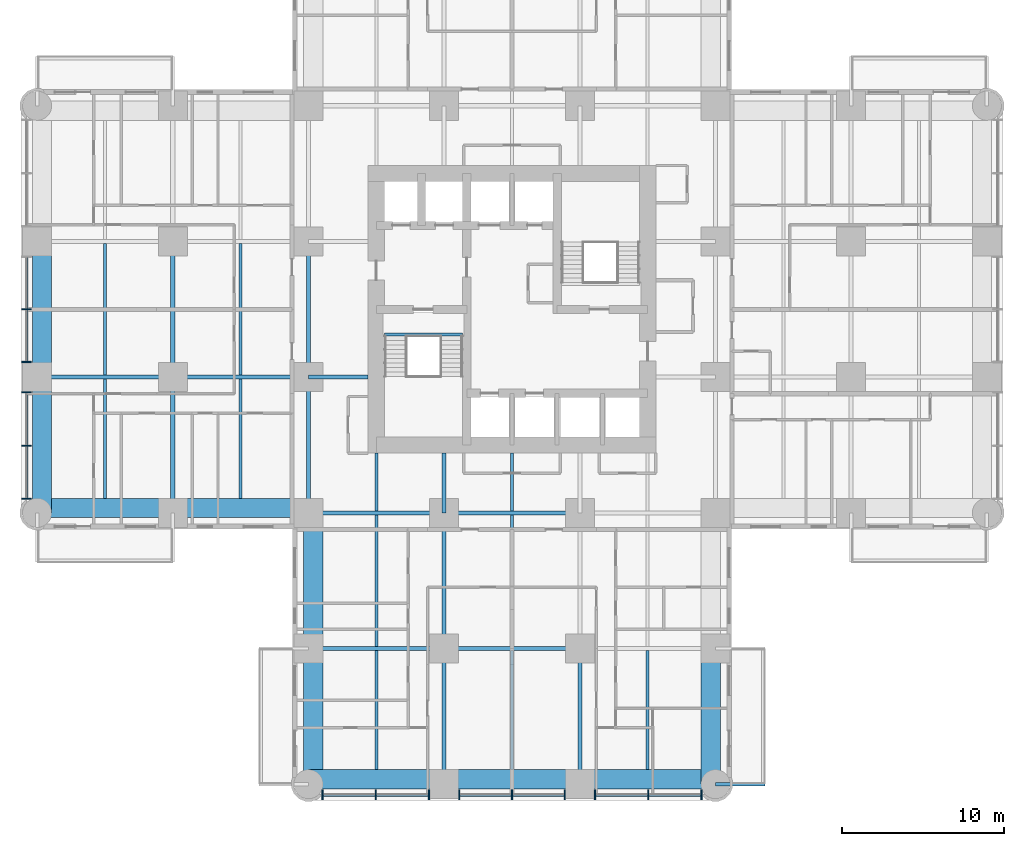
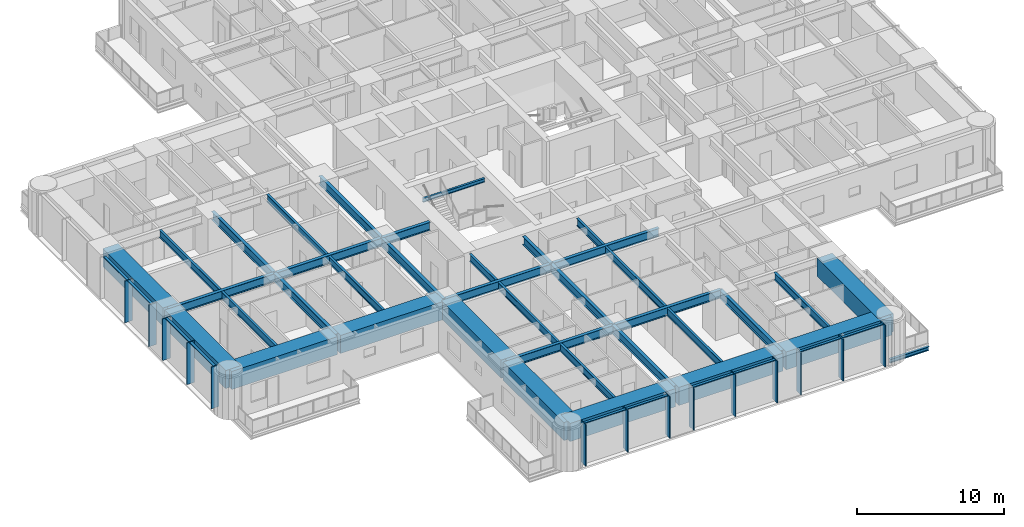
# One storey, part 2 of 17: 38 beams, 24 members, 2 elements without a shape of their own.
"""IFC4 building model written with IfcOpenShell, lengths in metres."""

from ifc_helpers import new_model, si_unit, direction, frame, origin, origin_2d, place, context, subcontext, project, spatial, rectangle, i_section, extrude, material, material_profile, profile_set, type_object, element, aggregate, save


model = new_model("IFC4")

# Units and contexts
model_context = context("Model", 3, precision=1e-05, world=origin(), true_north=direction((0.0, 1.0)))
body_context = subcontext(model_context, "Body", "Model", "MODEL_VIEW")
ifc_project = project(units=[si_unit("LENGTHUNIT", "METRE"), si_unit("AREAUNIT", "SQUARE_METRE"), si_unit("VOLUMEUNIT", "CUBIC_METRE"), si_unit("PLANEANGLEUNIT", "RADIAN"), si_unit("MASSUNIT", "GRAM", prefix="KILO")], contexts=[model_context])

# Site, building, storey
site_placement = place(None, origin())
site = spatial("IfcSite", under=ifc_project, at=site_placement, CompositionType="ELEMENT")
building_placement = place(site_placement, origin())
building = spatial("IfcBuilding", under=site, at=building_placement, Name="Torre Alcanfor", CompositionType="ELEMENT")
storey_placement = place(building_placement, frame((0.0, 0.0, 52.5)))
storey = spatial("IfcBuildingStorey", under=building, at=storey_placement, Name="L12", CompositionType="ELEMENT", Elevation=52.5)

# Beam
ifc_material_1 = material(Name="Steel ASTM A992 Grade 50", Category="steel")
ifc_material_profile_1 = material_profile(ifc_material_1, i_section(OverallWidth=0.205322265625, OverallDepth=0.309814453125, WebThickness=0.00927734375, FlangeThickness=0.016357421875, at=origin_2d()), Name="W12x50")
ifc_profile_set_1 = profile_set([ifc_material_profile_1], Name="Steel ASTM A992 Grade 50")
beam_type_1 = type_object("IfcBeamType", Name="Balcony cantilever beam W12x50", PredefinedType="BEAM", material=ifc_profile_set_1)
beam_1_placement = place(storey_placement, frame((42.0, 0.0, -0.35498046875), z_axis=(1.0, 0.0, 0.0), x_axis=(0.0, 1.0, 0.0)))
element("IfcBeam", 1, at=beam_1_placement, inside=storey, type_object=beam_type_1, Name="Balcony cantilever beam L12-S1 2", PredefinedType="BEAM", context=body_context, shape_type="SweptSolid", body=[
    extrude(i_section(OverallWidth=0.205322265625, OverallDepth=0.309814453125, WebThickness=0.00927734375, FlangeThickness=0.016357421875, at=origin_2d()), origin(), (0.0, 0.0, 1.0), 3.050048828125),
])

# Curtain wall, members
ifc_material_2 = material(Name="Aluminium and glass", Category="aluminium")
curtain_wall_type = type_object("IfcCurtainWallType", Name="CW-A unitised apartment glazing with vertical FIN", PredefinedType="NOTDEFINED", material=ifc_material_2)
curtain_wall_1_placement = place(storey_placement, origin())
curtain_wall_1 = element("IfcCurtainWall", 2, at=curtain_wall_1_placement, inside=storey, type_object=curtain_wall_type, Name="Curtain wall CW-A L12 2", PredefinedType="NOTDEFINED")
ifc_material_3 = material(Name="Bronze anodised aluminium", Category="aluminium")
ifc_material_profile_2 = material_profile(ifc_material_3, rectangle(XDim=0.60009765625, YDim=0.06494140625, at=origin_2d()), Name="CW-A mullion 65x600")
ifc_profile_set_2 = profile_set([ifc_material_profile_2], Name="Bronze anodised aluminium")
member_type_1 = type_object("IfcMemberType", Name="CW-A mullion with vertical FIN 65x600", PredefinedType="MULLION", material=ifc_profile_set_2)
member_1_placement = place(storey_placement, frame((-0.64990234375, 29.39990234375, 0.0), z_axis=(0.0, 0.0, 1.0), x_axis=(1.0, 0.0, 0.0)))
member_1 = element("IfcMember", 3, at=member_1_placement, type_object=member_type_1, Name="CW-A mullion 2.2", PredefinedType="MULLION", context=body_context, shape_type="SweptSolid", body=[
    extrude(rectangle(XDim=0.60009765625, YDim=0.06494140625, at=origin_2d()), origin(), (0.0, 0.0, 1.0), 3.449951171875),
])
member_2_placement = place(storey_placement, frame((-0.64990234375, 26.137451171875, 0.0), z_axis=(0.0, 0.0, 1.0), x_axis=(1.0, 0.0, 0.0)))
member_2 = element("IfcMember", 4, at=member_2_placement, type_object=member_type_1, Name="CW-A mullion 2.3", PredefinedType="MULLION", context=body_context, shape_type="SweptSolid", body=[
    extrude(rectangle(XDim=0.60009765625, YDim=0.06494140625, at=origin_2d()), origin(), (0.0, 0.0, 1.0), 3.449951171875),
])
member_3_placement = place(storey_placement, frame((-0.64990234375, 24.262451171875, 0.0), z_axis=(0.0, 0.0, 1.0), x_axis=(1.0, 0.0, 0.0)))
member_3 = element("IfcMember", 5, at=member_3_placement, type_object=member_type_1, Name="CW-A mullion 3.1", PredefinedType="MULLION", context=body_context, shape_type="SweptSolid", body=[
    extrude(rectangle(XDim=0.60009765625, YDim=0.06494140625, at=origin_2d()), origin(), (0.0, 0.0, 1.0), 3.449951171875),
])
member_4_placement = place(storey_placement, frame((-0.64990234375, 20.96484375, 0.0), z_axis=(0.0, 0.0, 1.0), x_axis=(1.0, 0.0, 0.0)))
member_4 = element("IfcMember", 6, at=member_4_placement, type_object=member_type_1, Name="CW-A mullion 3.2", PredefinedType="MULLION", context=body_context, shape_type="SweptSolid", body=[
    extrude(rectangle(XDim=0.60009765625, YDim=0.06494140625, at=origin_2d()), origin(), (0.0, 0.0, 1.0), 3.449951171875),
])
member_5_placement = place(storey_placement, frame((-0.64990234375, 17.6669921875, 0.0), z_axis=(0.0, 0.0, 1.0), x_axis=(1.0, 0.0, 0.0)))
member_5 = element("IfcMember", 7, at=member_5_placement, type_object=member_type_1, Name="CW-A mullion 3.3", PredefinedType="MULLION", context=body_context, shape_type="SweptSolid", body=[
    extrude(rectangle(XDim=0.60009765625, YDim=0.06494140625, at=origin_2d()), origin(), (0.0, 0.0, 1.0), 3.449951171875),
])

curtain_wall_2_placement = place(storey_placement, origin())
curtain_wall_2 = element("IfcCurtainWall", 8, at=curtain_wall_2_placement, inside=storey, type_object=curtain_wall_type, Name="Curtain wall CW-A L12 5", PredefinedType="NOTDEFINED")
member_6_placement = place(storey_placement, frame((17.6669921875, -0.64990234375, 0.0), z_axis=(0.0, 0.0, 1.0), x_axis=(0.0, 1.0, 0.0)))
member_6 = element("IfcMember", 9, at=member_6_placement, type_object=member_type_1, Name="CW-A mullion 1.1", PredefinedType="MULLION", context=body_context, shape_type="SweptSolid", body=[
    extrude(rectangle(XDim=0.60009765625, YDim=0.06494140625, at=origin_2d()), origin(), (0.0, 0.0, 1.0), 3.449951171875),
])
member_7_placement = place(storey_placement, frame((20.96484375, -0.64990234375, 0.0), z_axis=(0.0, 0.0, 1.0), x_axis=(0.0, 1.0, 0.0)))
member_7 = element("IfcMember", 10, at=member_7_placement, type_object=member_type_1, Name="CW-A mullion 1.2", PredefinedType="MULLION", context=body_context, shape_type="SweptSolid", body=[
    extrude(rectangle(XDim=0.60009765625, YDim=0.06494140625, at=origin_2d()), origin(), (0.0, 0.0, 1.0), 3.449951171875),
])
member_8_placement = place(storey_placement, frame((24.262451171875, -0.64990234375, 0.0), z_axis=(0.0, 0.0, 1.0), x_axis=(0.0, 1.0, 0.0)))
member_8 = element("IfcMember", 11, at=member_8_placement, type_object=member_type_1, Name="CW-A mullion 1.3", PredefinedType="MULLION", context=body_context, shape_type="SweptSolid", body=[
    extrude(rectangle(XDim=0.60009765625, YDim=0.06494140625, at=origin_2d()), origin(), (0.0, 0.0, 1.0), 3.449951171875),
])
member_9_placement = place(storey_placement, frame((26.137451171875, -0.64990234375, 0.0), z_axis=(0.0, 0.0, 1.0), x_axis=(0.0, 1.0, 0.0)))
member_9 = element("IfcMember", 12, at=member_9_placement, type_object=member_type_1, Name="CW-A mullion 2.1", PredefinedType="MULLION", context=body_context, shape_type="SweptSolid", body=[
    extrude(rectangle(XDim=0.60009765625, YDim=0.06494140625, at=origin_2d()), origin(), (0.0, 0.0, 1.0), 3.449951171875),
])
member_10_placement = place(storey_placement, frame((29.39990234375, -0.64990234375, 0.0), z_axis=(0.0, 0.0, 1.0), x_axis=(0.0, 1.0, 0.0)))
member_10 = element("IfcMember", 13, at=member_10_placement, type_object=member_type_1, Name="CW-A mullion 2.2", PredefinedType="MULLION", context=body_context, shape_type="SweptSolid", body=[
    extrude(rectangle(XDim=0.60009765625, YDim=0.06494140625, at=origin_2d()), origin(), (0.0, 0.0, 1.0), 3.449951171875),
])
member_11_placement = place(storey_placement, frame((32.66259765625, -0.64990234375, 0.0), z_axis=(0.0, 0.0, 1.0), x_axis=(0.0, 1.0, 0.0)))
member_11 = element("IfcMember", 14, at=member_11_placement, type_object=member_type_1, Name="CW-A mullion 2.3", PredefinedType="MULLION", context=body_context, shape_type="SweptSolid", body=[
    extrude(rectangle(XDim=0.60009765625, YDim=0.06494140625, at=origin_2d()), origin(), (0.0, 0.0, 1.0), 3.449951171875),
])
member_12_placement = place(storey_placement, frame((34.53759765625, -0.64990234375, 0.0), z_axis=(0.0, 0.0, 1.0), x_axis=(0.0, 1.0, 0.0)))
member_12 = element("IfcMember", 15, at=member_12_placement, type_object=member_type_1, Name="CW-A mullion 3.1", PredefinedType="MULLION", context=body_context, shape_type="SweptSolid", body=[
    extrude(rectangle(XDim=0.60009765625, YDim=0.06494140625, at=origin_2d()), origin(), (0.0, 0.0, 1.0), 3.449951171875),
])
member_13_placement = place(storey_placement, frame((37.835205078125, -0.64990234375, 0.0), z_axis=(0.0, 0.0, 1.0), x_axis=(0.0, 1.0, 0.0)))
member_13 = element("IfcMember", 16, at=member_13_placement, type_object=member_type_1, Name="CW-A mullion 3.2", PredefinedType="MULLION", context=body_context, shape_type="SweptSolid", body=[
    extrude(rectangle(XDim=0.60009765625, YDim=0.06494140625, at=origin_2d()), origin(), (0.0, 0.0, 1.0), 3.449951171875),
])
member_14_placement = place(storey_placement, frame((41.133056640625, -0.64990234375, 0.0), z_axis=(0.0, 0.0, 1.0), x_axis=(0.0, 1.0, 0.0)))
member_14 = element("IfcMember", 17, at=member_14_placement, type_object=member_type_1, Name="CW-A mullion 3.3", PredefinedType="MULLION", context=body_context, shape_type="SweptSolid", body=[
    extrude(rectangle(XDim=0.60009765625, YDim=0.06494140625, at=origin_2d()), origin(), (0.0, 0.0, 1.0), 3.449951171875),
])

# Member
ifc_material_4 = material(Name="Extruded aluminium", Category="aluminium")
ifc_material_profile_3 = material_profile(ifc_material_4, rectangle(XDim=0.199951171875, YDim=0.06494140625, at=origin_2d()), Name="CW-A transom 200x65")
ifc_profile_set_3 = profile_set([ifc_material_profile_3], Name="Extruded aluminium")
member_type_2 = type_object("IfcMemberType", Name="CW-A transom 65x200", PredefinedType="USERDEFINED", material=ifc_profile_set_3)
member_15_placement = place(storey_placement, frame((-0.64990234375, 32.6298828125, 3.41748046875), z_axis=(0.0, -1.0, 0.0), x_axis=(1.0, 0.0, 0.0)))
member_15 = element("IfcMember", 18, at=member_15_placement, type_object=member_type_2, Name="CW-A transom 2.1.2", ObjectType="TRANSOM", PredefinedType="USERDEFINED", context=body_context, shape_type="SweptSolid", body=[
    extrude(rectangle(XDim=0.199951171875, YDim=0.06494140625, at=origin_2d()), origin(), (0.0, 0.0, 1.0), 3.197265625),
])

member_16_placement = place(storey_placement, frame((-0.64990234375, 29.367431640625, 3.41748046875), z_axis=(0.0, -1.0, 0.0), x_axis=(1.0, 0.0, 0.0)))
member_16 = element("IfcMember", 19, at=member_16_placement, type_object=member_type_2, Name="CW-A transom 2.2.2", ObjectType="TRANSOM", PredefinedType="USERDEFINED", context=body_context, shape_type="SweptSolid", body=[
    extrude(rectangle(XDim=0.199951171875, YDim=0.06494140625, at=origin_2d()), origin(), (0.0, 0.0, 1.0), 3.197509765625),
])

member_17_placement = place(storey_placement, frame((-0.64990234375, 24.22998046875, 3.41748046875), z_axis=(0.0, -1.0, 0.0), x_axis=(1.0, 0.0, 0.0)))
member_17 = element("IfcMember", 20, at=member_17_placement, type_object=member_type_2, Name="CW-A transom 3.1.2", ObjectType="TRANSOM", PredefinedType="USERDEFINED", context=body_context, shape_type="SweptSolid", body=[
    extrude(rectangle(XDim=0.199951171875, YDim=0.06494140625, at=origin_2d()), origin(), (0.0, 0.0, 1.0), 3.232666015625),
])

member_18_placement = place(storey_placement, frame((-0.64990234375, 20.93212890625, 3.41748046875), z_axis=(0.0, -1.0, 0.0), x_axis=(1.0, 0.0, 0.0)))
member_18 = element("IfcMember", 21, at=member_18_placement, type_object=member_type_2, Name="CW-A transom 3.2.2", ObjectType="TRANSOM", PredefinedType="USERDEFINED", context=body_context, shape_type="SweptSolid", body=[
    extrude(rectangle(XDim=0.199951171875, YDim=0.06494140625, at=origin_2d()), origin(), (0.0, 0.0, 1.0), 3.232666015625),
])

aggregate(curtain_wall_1, [member_1, member_2, member_15, member_16, member_3, member_4, member_5, member_17, member_18])

member_19_placement = place(storey_placement, frame((17.699462890625, -0.64990234375, 3.41748046875), z_axis=(1.0, 0.0, 0.0), x_axis=(0.0, 1.0, 0.0)))
member_19 = element("IfcMember", 22, at=member_19_placement, type_object=member_type_2, Name="CW-A transom 1.1.2", ObjectType="TRANSOM", PredefinedType="USERDEFINED", context=body_context, shape_type="SweptSolid", body=[
    extrude(rectangle(XDim=0.199951171875, YDim=0.06494140625, at=origin_2d()), origin(), (0.0, 0.0, 1.0), 3.232666015625),
])

member_20_placement = place(storey_placement, frame((20.997314453125, -0.64990234375, 3.41748046875), z_axis=(1.0, 0.0, 0.0), x_axis=(0.0, 1.0, 0.0)))
member_20 = element("IfcMember", 23, at=member_20_placement, type_object=member_type_2, Name="CW-A transom 1.2.2", ObjectType="TRANSOM", PredefinedType="USERDEFINED", context=body_context, shape_type="SweptSolid", body=[
    extrude(rectangle(XDim=0.199951171875, YDim=0.06494140625, at=origin_2d()), origin(), (0.0, 0.0, 1.0), 3.232666015625),
])

member_21_placement = place(storey_placement, frame((26.169921875, -0.64990234375, 3.41748046875), z_axis=(1.0, 0.0, 0.0), x_axis=(0.0, 1.0, 0.0)))
member_21 = element("IfcMember", 24, at=member_21_placement, type_object=member_type_2, Name="CW-A transom 2.1.2", ObjectType="TRANSOM", PredefinedType="USERDEFINED", context=body_context, shape_type="SweptSolid", body=[
    extrude(rectangle(XDim=0.199951171875, YDim=0.06494140625, at=origin_2d()), origin(), (0.0, 0.0, 1.0), 3.197509765625),
])

member_22_placement = place(storey_placement, frame((29.4326171875, -0.64990234375, 3.41748046875), z_axis=(1.0, 0.0, 0.0), x_axis=(0.0, 1.0, 0.0)))
member_22 = element("IfcMember", 25, at=member_22_placement, type_object=member_type_2, Name="CW-A transom 2.2.2", ObjectType="TRANSOM", PredefinedType="USERDEFINED", context=body_context, shape_type="SweptSolid", body=[
    extrude(rectangle(XDim=0.199951171875, YDim=0.06494140625, at=origin_2d()), origin(), (0.0, 0.0, 1.0), 3.197265625),
])

member_23_placement = place(storey_placement, frame((34.570068359375, -0.64990234375, 3.41748046875), z_axis=(1.0, 0.0, 0.0), x_axis=(0.0, 1.0, 0.0)))
member_23 = element("IfcMember", 26, at=member_23_placement, type_object=member_type_2, Name="CW-A transom 3.1.2", ObjectType="TRANSOM", PredefinedType="USERDEFINED", context=body_context, shape_type="SweptSolid", body=[
    extrude(rectangle(XDim=0.199951171875, YDim=0.06494140625, at=origin_2d()), origin(), (0.0, 0.0, 1.0), 3.232666015625),
])

member_24_placement = place(storey_placement, frame((37.86767578125, -0.64990234375, 3.41748046875), z_axis=(1.0, 0.0, 0.0), x_axis=(0.0, 1.0, 0.0)))
member_24 = element("IfcMember", 27, at=member_24_placement, type_object=member_type_2, Name="CW-A transom 3.2.2", ObjectType="TRANSOM", PredefinedType="USERDEFINED", context=body_context, shape_type="SweptSolid", body=[
    extrude(rectangle(XDim=0.199951171875, YDim=0.06494140625, at=origin_2d()), origin(), (0.0, 0.0, 1.0), 3.23291015625),
])

aggregate(curtain_wall_2, [member_6, member_7, member_8, member_19, member_20, member_9, member_10, member_11, member_21, member_22, member_12, member_13, member_14, member_23, member_24])

# Beams
ifc_material_5 = material(Name="Steel ASTM A992 Grade 50", Category="steel")
ifc_material_profile_4 = material_profile(ifc_material_5, i_section(OverallWidth=0.25390625, OverallDepth=0.683349609375, WebThickness=0.012451171875, FlangeThickness=0.01904296875, at=origin_2d()), Name="W27x94")
ifc_profile_set_4 = profile_set([ifc_material_profile_4], Name="Steel ASTM A992 Grade 50")
beam_type_2 = type_object("IfcBeamType", Name="Girder W27x94", PredefinedType="BEAM", material=ifc_profile_set_4)
beam_2_placement = place(storey_placement, frame((16.800048828125, 8.39990234375, 3.1083984375), z_axis=(1.0, 0.0, 0.0), x_axis=(0.0, 1.0, 0.0)))
element("IfcBeam", 28, at=beam_2_placement, inside=storey, type_object=beam_type_2, Name="Beam 3D-4D under L13", PredefinedType="BEAM", context=body_context, shape_type="SweptSolid", body=[
    extrude(i_section(OverallWidth=0.25390625, OverallDepth=0.683349609375, WebThickness=0.012451171875, FlangeThickness=0.01904296875, at=origin_2d()), origin(), (0.0, 0.0, 1.0), 8.39990234375),
])
beam_3_placement = place(storey_placement, frame((25.199951171875, 8.39990234375, 3.1083984375), z_axis=(1.0, 0.0, 0.0), x_axis=(0.0, 1.0, 0.0)))
element("IfcBeam", 29, at=beam_3_placement, inside=storey, type_object=beam_type_2, Name="Beam 4D-5D under L13", PredefinedType="BEAM", context=body_context, shape_type="SweptSolid", body=[
    extrude(i_section(OverallWidth=0.25390625, OverallDepth=0.683349609375, WebThickness=0.012451171875, FlangeThickness=0.01904296875, at=origin_2d()), origin(), (0.0, 0.0, 1.0), 8.400146484375),
])
beam_4_placement = place(storey_placement, frame((16.800048828125, 16.800048828125, 3.1083984375), z_axis=(1.0, 0.0, 0.0), x_axis=(0.0, 1.0, 0.0)))
element("IfcBeam", 30, at=beam_4_placement, inside=storey, type_object=beam_type_2, Name="Beam 3E-4E under L13", PredefinedType="BEAM", context=body_context, shape_type="SweptSolid", body=[
    extrude(i_section(OverallWidth=0.25390625, OverallDepth=0.683349609375, WebThickness=0.012451171875, FlangeThickness=0.01904296875, at=origin_2d()), origin(), (0.0, 0.0, 1.0), 8.39990234375),
])
beam_5_placement = place(storey_placement, frame((25.199951171875, 16.800048828125, 3.1083984375), z_axis=(1.0, 0.0, 0.0), x_axis=(0.0, 1.0, 0.0)))
element("IfcBeam", 31, at=beam_5_placement, inside=storey, type_object=beam_type_2, Name="Beam 4E-5E under L13", PredefinedType="BEAM", context=body_context, shape_type="SweptSolid", body=[
    extrude(i_section(OverallWidth=0.25390625, OverallDepth=0.683349609375, WebThickness=0.012451171875, FlangeThickness=0.01904296875, at=origin_2d()), origin(), (0.0, 0.0, 1.0), 8.400146484375),
])
beam_6_placement = place(storey_placement, frame((0.0, 25.199951171875, 3.1083984375), z_axis=(1.0, 0.0, 0.0), x_axis=(0.0, 1.0, 0.0)))
element("IfcBeam", 32, at=beam_6_placement, inside=storey, type_object=beam_type_2, Name="Beam 1F-2F under L13", PredefinedType="BEAM", context=body_context, shape_type="SweptSolid", body=[
    extrude(i_section(OverallWidth=0.25390625, OverallDepth=0.683349609375, WebThickness=0.012451171875, FlangeThickness=0.01904296875, at=origin_2d()), origin(), (0.0, 0.0, 1.0), 8.39990234375),
])
beam_7_placement = place(storey_placement, frame((8.39990234375, 25.199951171875, 3.1083984375), z_axis=(1.0, 0.0, 0.0), x_axis=(0.0, 1.0, 0.0)))
element("IfcBeam", 33, at=beam_7_placement, inside=storey, type_object=beam_type_2, Name="Beam 2F-3F under L13", PredefinedType="BEAM", context=body_context, shape_type="SweptSolid", body=[
    extrude(i_section(OverallWidth=0.25390625, OverallDepth=0.683349609375, WebThickness=0.012451171875, FlangeThickness=0.01904296875, at=origin_2d()), origin(), (0.0, 0.0, 1.0), 8.400146484375),
])
beam_8_placement = place(storey_placement, frame((8.39990234375, 16.800048828125, 3.1083984375), z_axis=(0.0, 1.0, 0.0), x_axis=(-1.0, 0.0, 0.0)))
element("IfcBeam", 34, at=beam_8_placement, inside=storey, type_object=beam_type_2, Name="Beam 2E-2F under L13", PredefinedType="BEAM", context=body_context, shape_type="SweptSolid", body=[
    extrude(i_section(OverallWidth=0.25390625, OverallDepth=0.683349609375, WebThickness=0.012451171875, FlangeThickness=0.01904296875, at=origin_2d()), origin(), (0.0, 0.0, 1.0), 8.39990234375),
])
beam_9_placement = place(storey_placement, frame((8.39990234375, 25.199951171875, 3.1083984375), z_axis=(0.0, 1.0, 0.0), x_axis=(-1.0, 0.0, 0.0)))
element("IfcBeam", 35, at=beam_9_placement, inside=storey, type_object=beam_type_2, Name="Beam 2F-2G under L13", PredefinedType="BEAM", context=body_context, shape_type="SweptSolid", body=[
    extrude(i_section(OverallWidth=0.25390625, OverallDepth=0.683349609375, WebThickness=0.012451171875, FlangeThickness=0.01904296875, at=origin_2d()), origin(), (0.0, 0.0, 1.0), 8.400146484375),
])
beam_10_placement = place(storey_placement, frame((16.800048828125, 16.800048828125, 3.1083984375), z_axis=(0.0, 1.0, 0.0), x_axis=(-1.0, 0.0, 0.0)))
element("IfcBeam", 36, at=beam_10_placement, inside=storey, type_object=beam_type_2, Name="Beam 3E-3F under L13", PredefinedType="BEAM", context=body_context, shape_type="SweptSolid", body=[
    extrude(i_section(OverallWidth=0.25390625, OverallDepth=0.683349609375, WebThickness=0.012451171875, FlangeThickness=0.01904296875, at=origin_2d()), origin(), (0.0, 0.0, 1.0), 8.39990234375),
])
beam_11_placement = place(storey_placement, frame((16.800048828125, 25.199951171875, 3.1083984375), z_axis=(0.0, 1.0, 0.0), x_axis=(-1.0, 0.0, 0.0)))
element("IfcBeam", 37, at=beam_11_placement, inside=storey, type_object=beam_type_2, Name="Beam 3F-3G under L13", PredefinedType="BEAM", context=body_context, shape_type="SweptSolid", body=[
    extrude(i_section(OverallWidth=0.25390625, OverallDepth=0.683349609375, WebThickness=0.012451171875, FlangeThickness=0.01904296875, at=origin_2d()), origin(), (0.0, 0.0, 1.0), 8.400146484375),
])
beam_12_placement = place(storey_placement, frame((25.199951171875, 0.0, 3.1083984375), z_axis=(0.0, 1.0, 0.0), x_axis=(-1.0, 0.0, 0.0)))
element("IfcBeam", 38, at=beam_12_placement, inside=storey, type_object=beam_type_2, Name="Beam 4C-4D under L13", PredefinedType="BEAM", context=body_context, shape_type="SweptSolid", body=[
    extrude(i_section(OverallWidth=0.25390625, OverallDepth=0.683349609375, WebThickness=0.012451171875, FlangeThickness=0.01904296875, at=origin_2d()), origin(), (0.0, 0.0, 1.0), 8.39990234375),
])
beam_13_placement = place(storey_placement, frame((25.199951171875, 8.39990234375, 3.1083984375), z_axis=(0.0, 1.0, 0.0), x_axis=(-1.0, 0.0, 0.0)))
element("IfcBeam", 39, at=beam_13_placement, inside=storey, type_object=beam_type_2, Name="Beam 4D-4E under L13", PredefinedType="BEAM", context=body_context, shape_type="SweptSolid", body=[
    extrude(i_section(OverallWidth=0.25390625, OverallDepth=0.683349609375, WebThickness=0.012451171875, FlangeThickness=0.01904296875, at=origin_2d()), origin(), (0.0, 0.0, 1.0), 8.400146484375),
])
beam_14_placement = place(storey_placement, frame((33.60009765625, 0.0, 3.1083984375), z_axis=(0.0, 1.0, 0.0), x_axis=(-1.0, 0.0, 0.0)))
element("IfcBeam", 40, at=beam_14_placement, inside=storey, type_object=beam_type_2, Name="Beam 5C-5D under L13", PredefinedType="BEAM", context=body_context, shape_type="SweptSolid", body=[
    extrude(i_section(OverallWidth=0.25390625, OverallDepth=0.683349609375, WebThickness=0.012451171875, FlangeThickness=0.01904296875, at=origin_2d()), origin(), (0.0, 0.0, 1.0), 8.39990234375),
])
ifc_material_6 = material(Name="Steel ASTM A992 Grade 50", Category="steel")
ifc_material_profile_5 = material_profile(ifc_material_6, i_section(OverallWidth=0.25390625, OverallDepth=0.683349609375, WebThickness=0.012451171875, FlangeThickness=0.01904296875, at=origin_2d()), Name="W27x94")
ifc_profile_set_5 = profile_set([ifc_material_profile_5], Name="Steel ASTM A992 Grade 50")
beam_type_3 = type_object("IfcBeamType", Name="Girder, part bay W27x94", PredefinedType="BEAM", material=ifc_profile_set_5)
for number, where, z_axis, x_axis, name in (
    (41, (25.199951171875, 16.800048828125, 3.1083984375), (0.0, 1.0, 0.0), (-1.0, 0.0, 0.0), "Beam 4E-420_5 under L13"),
    (42, (16.800048828125, 25.199951171875, 3.1083984375), (1.0, 0.0, 0.0), (0.0, 1.0, 0.0), "Beam 3F-20_5F under L13"),
):
    element("IfcBeam", number, at=place(storey_placement, frame(where, z_axis=z_axis, x_axis=x_axis)), inside=storey, type_object=beam_type_3, Name=name, PredefinedType="BEAM", context=body_context, shape_type="SweptSolid", body=[
        extrude(i_section(OverallWidth=0.25390625, OverallDepth=0.683349609375, WebThickness=0.012451171875, FlangeThickness=0.01904296875, at=origin_2d()), origin(), (0.0, 0.0, 1.0), 3.699951171875),
    ])
ifc_material_7 = material(Name="Concrete f'c 70 MPa", Category="concrete")
ifc_material_profile_6 = material_profile(ifc_material_7, rectangle(XDim=1.199951171875, YDim=1.5, at=origin_2d()), Name="1200x1500")
ifc_profile_set_6 = profile_set([ifc_material_profile_6], Name="Concrete f'c 70 MPa")
beam_type_4 = type_object("IfcBeamType", Name="RC perimeter beam 1200x1500", PredefinedType="BEAM", material=ifc_profile_set_6)
beam_15_placement = place(storey_placement, frame((16.800048828125, 0.300048828125, 2.699951171875), z_axis=(1.0, 0.0, 0.0), x_axis=(0.0, 1.0, 0.0)))
element("IfcBeam", 43, at=beam_15_placement, inside=storey, type_object=beam_type_4, Name="Beam 3C-4C under L13", PredefinedType="BEAM", context=body_context, shape_type="SweptSolid", body=[
    extrude(rectangle(XDim=1.199951171875, YDim=1.5, at=origin_2d()), origin(), (0.0, 0.0, 1.0), 8.27294921875),
])
beam_16_placement = place(storey_placement, frame((25.326904296875, 0.300048828125, 2.699951171875), z_axis=(1.0, 0.0, 0.0), x_axis=(0.0, 1.0, 0.0)))
element("IfcBeam", 44, at=beam_16_placement, inside=storey, type_object=beam_type_4, Name="Beam 4C-5C under L13", PredefinedType="BEAM", context=body_context, shape_type="SweptSolid", body=[
    extrude(rectangle(XDim=1.199951171875, YDim=1.5, at=origin_2d()), origin(), (0.0, 0.0, 1.0), 8.14599609375),
])
for number, where, z_axis, x_axis, name in (
    (45, (33.72705078125, 0.300048828125, 2.699951171875), (1.0, 0.0, 0.0), (0.0, 1.0, 0.0), "Beam 5C-6C under L13"),
    (46, (0.0, 17.10009765625, 2.699951171875), (1.0, 0.0, 0.0), (0.0, 1.0, 0.0), "Beam 1E-2E under L13"),
):
    element("IfcBeam", number, at=place(storey_placement, frame(where, z_axis=z_axis, x_axis=x_axis)), inside=storey, type_object=beam_type_4, Name=name, PredefinedType="BEAM", context=body_context, shape_type="SweptSolid", body=[
        extrude(rectangle(XDim=1.199951171875, YDim=1.5, at=origin_2d()), origin(), (0.0, 0.0, 1.0), 8.27294921875),
    ])
beam_17_placement = place(storey_placement, frame((8.527099609375, 17.10009765625, 2.699951171875), z_axis=(1.0, 0.0, 0.0), x_axis=(0.0, 1.0, 0.0)))
element("IfcBeam", 47, at=beam_17_placement, inside=storey, type_object=beam_type_4, Name="Beam 2E-3E under L13", PredefinedType="BEAM", context=body_context, shape_type="SweptSolid", body=[
    extrude(rectangle(XDim=1.199951171875, YDim=1.5, at=origin_2d()), origin(), (0.0, 0.0, 1.0), 8.14599609375),
])
beam_18_placement = place(storey_placement, frame((0.300048828125, 16.800048828125, 2.699951171875), z_axis=(0.0, 1.0, 0.0), x_axis=(-1.0, 0.0, 0.0)))
element("IfcBeam", 48, at=beam_18_placement, inside=storey, type_object=beam_type_4, Name="Beam 1E-1F under L13", PredefinedType="BEAM", context=body_context, shape_type="SweptSolid", body=[
    extrude(rectangle(XDim=1.199951171875, YDim=1.5, at=origin_2d()), origin(), (0.0, 0.0, 1.0), 8.27294921875),
])
beam_19_placement = place(storey_placement, frame((0.300048828125, 25.326904296875, 2.699951171875), z_axis=(0.0, 1.0, 0.0), x_axis=(-1.0, 0.0, 0.0)))
element("IfcBeam", 49, at=beam_19_placement, inside=storey, type_object=beam_type_4, Name="Beam 1F-1G under L13", PredefinedType="BEAM", context=body_context, shape_type="SweptSolid", body=[
    extrude(rectangle(XDim=1.199951171875, YDim=1.5, at=origin_2d()), origin(), (0.0, 0.0, 1.0), 8.14599609375),
])
beam_20_placement = place(storey_placement, frame((17.10009765625, 0.0, 2.699951171875), z_axis=(0.0, 1.0, 0.0), x_axis=(-1.0, 0.0, 0.0)))
element("IfcBeam", 50, at=beam_20_placement, inside=storey, type_object=beam_type_4, Name="Beam 3C-3D under L13", PredefinedType="BEAM", context=body_context, shape_type="SweptSolid", body=[
    extrude(rectangle(XDim=1.199951171875, YDim=1.5, at=origin_2d()), origin(), (0.0, 0.0, 1.0), 8.27294921875),
])
beam_21_placement = place(storey_placement, frame((17.10009765625, 8.527099609375, 2.699951171875), z_axis=(0.0, 1.0, 0.0), x_axis=(-1.0, 0.0, 0.0)))
element("IfcBeam", 51, at=beam_21_placement, inside=storey, type_object=beam_type_4, Name="Beam 3D-3E under L13", PredefinedType="BEAM", context=body_context, shape_type="SweptSolid", body=[
    extrude(rectangle(XDim=1.199951171875, YDim=1.5, at=origin_2d()), origin(), (0.0, 0.0, 1.0), 8.14599609375),
])
beam_22_placement = place(storey_placement, frame((41.699951171875, 0.0, 2.699951171875), z_axis=(0.0, 1.0, 0.0), x_axis=(-1.0, 0.0, 0.0)))
element("IfcBeam", 52, at=beam_22_placement, inside=storey, type_object=beam_type_4, Name="Beam 6C-6D under L13", PredefinedType="BEAM", context=body_context, shape_type="SweptSolid", body=[
    extrude(rectangle(XDim=1.199951171875, YDim=1.5, at=origin_2d()), origin(), (0.0, 0.0, 1.0), 8.27294921875),
])
ifc_material_8 = material(Name="Steel ASTM A992 Grade 50", Category="steel")
ifc_material_profile_7 = material_profile(ifc_material_8, i_section(OverallWidth=0.1787109375, OverallDepth=0.60205078125, WebThickness=0.010986328125, FlangeThickness=0.014892578125, at=origin_2d()), Name="W24x62")
ifc_profile_set_7 = profile_set([ifc_material_profile_7], Name="Steel ASTM A992 Grade 50")
beam_type_5 = type_object("IfcBeamType", Name="Secondary beam W24x62", PredefinedType="BEAM", material=ifc_profile_set_7)
beam_23_placement = place(storey_placement, frame((4.199951171875, 17.699951171875, 3.14892578125), z_axis=(0.0, 1.0, 0.0), x_axis=(-1.0, 0.0, 0.0)))
element("IfcBeam", 53, at=beam_23_placement, inside=storey, type_object=beam_type_5, Name="Beam 4_2E-4_2F under L13", PredefinedType="BEAM", context=body_context, shape_type="SweptSolid", body=[
    extrude(i_section(OverallWidth=0.1787109375, OverallDepth=0.60205078125, WebThickness=0.010986328125, FlangeThickness=0.014892578125, at=origin_2d()), origin(), (0.0, 0.0, 1.0), 7.373046875),
])
beam_24_placement = place(storey_placement, frame((4.199951171875, 25.326904296875, 3.14892578125), z_axis=(0.0, 1.0, 0.0), x_axis=(-1.0, 0.0, 0.0)))
element("IfcBeam", 54, at=beam_24_placement, inside=storey, type_object=beam_type_5, Name="Beam 4_2F-4_2G under L13", PredefinedType="BEAM", context=body_context, shape_type="SweptSolid", body=[
    extrude(i_section(OverallWidth=0.1787109375, OverallDepth=0.60205078125, WebThickness=0.010986328125, FlangeThickness=0.014892578125, at=origin_2d()), origin(), (0.0, 0.0, 1.0), 8.14599609375),
])
beam_25_placement = place(storey_placement, frame((12.60009765625, 17.699951171875, 3.14892578125), z_axis=(0.0, 1.0, 0.0), x_axis=(-1.0, 0.0, 0.0)))
element("IfcBeam", 55, at=beam_25_placement, inside=storey, type_object=beam_type_5, Name="Beam 12_6E-12_6F under L13", PredefinedType="BEAM", context=body_context, shape_type="SweptSolid", body=[
    extrude(i_section(OverallWidth=0.1787109375, OverallDepth=0.60205078125, WebThickness=0.010986328125, FlangeThickness=0.014892578125, at=origin_2d()), origin(), (0.0, 0.0, 1.0), 7.373046875),
])
beam_26_placement = place(storey_placement, frame((12.60009765625, 25.326904296875, 3.14892578125), z_axis=(0.0, 1.0, 0.0), x_axis=(-1.0, 0.0, 0.0)))
element("IfcBeam", 56, at=beam_26_placement, inside=storey, type_object=beam_type_5, Name="Beam 12_6F-12_6G under L13", PredefinedType="BEAM", context=body_context, shape_type="SweptSolid", body=[
    extrude(i_section(OverallWidth=0.1787109375, OverallDepth=0.60205078125, WebThickness=0.010986328125, FlangeThickness=0.014892578125, at=origin_2d()), origin(), (0.0, 0.0, 1.0), 8.14599609375),
])
beam_27_placement = place(storey_placement, frame((21.0, 0.89990234375, 3.14892578125), z_axis=(0.0, 1.0, 0.0), x_axis=(-1.0, 0.0, 0.0)))
element("IfcBeam", 57, at=beam_27_placement, inside=storey, type_object=beam_type_5, Name="Beam 21C-21D under L13", PredefinedType="BEAM", context=body_context, shape_type="SweptSolid", body=[
    extrude(i_section(OverallWidth=0.1787109375, OverallDepth=0.60205078125, WebThickness=0.010986328125, FlangeThickness=0.014892578125, at=origin_2d()), origin(), (0.0, 0.0, 1.0), 7.373046875),
])
beam_28_placement = place(storey_placement, frame((21.0, 8.527099609375, 3.14892578125), z_axis=(0.0, 1.0, 0.0), x_axis=(-1.0, 0.0, 0.0)))
element("IfcBeam", 58, at=beam_28_placement, inside=storey, type_object=beam_type_5, Name="Beam 21D-21E under L13", PredefinedType="BEAM", context=body_context, shape_type="SweptSolid", body=[
    extrude(i_section(OverallWidth=0.1787109375, OverallDepth=0.60205078125, WebThickness=0.010986328125, FlangeThickness=0.014892578125, at=origin_2d()), origin(), (0.0, 0.0, 1.0), 8.14599609375),
])
beam_29_placement = place(storey_placement, frame((29.39990234375, 0.89990234375, 3.14892578125), z_axis=(0.0, 1.0, 0.0), x_axis=(-1.0, 0.0, 0.0)))
element("IfcBeam", 59, at=beam_29_placement, inside=storey, type_object=beam_type_5, Name="Beam 29_4C-29_4D under L13", PredefinedType="BEAM", context=body_context, shape_type="SweptSolid", body=[
    extrude(i_section(OverallWidth=0.1787109375, OverallDepth=0.60205078125, WebThickness=0.010986328125, FlangeThickness=0.014892578125, at=origin_2d()), origin(), (0.0, 0.0, 1.0), 7.373046875),
])
beam_30_placement = place(storey_placement, frame((29.39990234375, 8.527099609375, 3.14892578125), z_axis=(0.0, 1.0, 0.0), x_axis=(-1.0, 0.0, 0.0)))
element("IfcBeam", 60, at=beam_30_placement, inside=storey, type_object=beam_type_5, Name="Beam 29_4D-29_4E under L13", PredefinedType="BEAM", context=body_context, shape_type="SweptSolid", body=[
    extrude(i_section(OverallWidth=0.1787109375, OverallDepth=0.60205078125, WebThickness=0.010986328125, FlangeThickness=0.014892578125, at=origin_2d()), origin(), (0.0, 0.0, 1.0), 8.14599609375),
])
beam_31_placement = place(storey_placement, frame((37.800048828125, 0.89990234375, 3.14892578125), z_axis=(0.0, 1.0, 0.0), x_axis=(-1.0, 0.0, 0.0)))
element("IfcBeam", 61, at=beam_31_placement, inside=storey, type_object=beam_type_5, Name="Beam 37_8C-37_8D under L13", PredefinedType="BEAM", context=body_context, shape_type="SweptSolid", body=[
    extrude(i_section(OverallWidth=0.1787109375, OverallDepth=0.60205078125, WebThickness=0.010986328125, FlangeThickness=0.014892578125, at=origin_2d()), origin(), (0.0, 0.0, 1.0), 7.373046875),
])
ifc_material_9 = material(Name="Steel ASTM A992 Grade 50", Category="steel")
ifc_material_profile_8 = material_profile(ifc_material_9, i_section(OverallWidth=0.1787109375, OverallDepth=0.60205078125, WebThickness=0.010986328125, FlangeThickness=0.014892578125, at=origin_2d()), Name="W24x62")
ifc_profile_set_8 = profile_set([ifc_material_profile_8], Name="Steel ASTM A992 Grade 50")
beam_type_6 = type_object("IfcBeamType", Name="Secondary beam, part bay W24x62", PredefinedType="BEAM", material=ifc_profile_set_8)
for number, where, z_axis, x_axis, name in (
    (62, (21.0, 16.927001953125, 3.14892578125), (0.0, 1.0, 0.0), (-1.0, 0.0, 0.0), "Beam 21E-2120_5 under L13"),
    (63, (29.39990234375, 16.927001953125, 3.14892578125), (0.0, 1.0, 0.0), (-1.0, 0.0, 0.0), "Beam 29_4E-29_420_5 under L13"),
):
    element("IfcBeam", number, at=place(storey_placement, frame(where, z_axis=z_axis, x_axis=x_axis)), inside=storey, type_object=beam_type_6, Name=name, PredefinedType="BEAM", context=body_context, shape_type="SweptSolid", body=[
        extrude(i_section(OverallWidth=0.1787109375, OverallDepth=0.60205078125, WebThickness=0.010986328125, FlangeThickness=0.014892578125, at=origin_2d()), origin(), (0.0, 0.0, 1.0), 3.572998046875),
    ])
ifc_material_10 = material(Name="Steel ASTM A992 Grade 50", Category="steel")
ifc_material_profile_9 = material_profile(ifc_material_10, i_section(OverallWidth=0.164794921875, OverallDepth=0.309814453125, WebThickness=0.005859375, FlangeThickness=0.009765625, at=origin_2d()), Name="W12x26")
ifc_profile_set_9 = profile_set([ifc_material_profile_9], Name="Steel ASTM A992 Grade 50")
beam_type_7 = type_object("IfcBeamType", Name="Stair landing beam W12x26", PredefinedType="BEAM", material=ifc_profile_set_9)
beam_32_placement = place(storey_placement, frame((21.5, 27.83740234375, 3.2451171875), z_axis=(1.0, 0.0, 0.0), x_axis=(0.0, 1.0, 0.0)))
element("IfcBeam", 64, at=beam_32_placement, inside=storey, type_object=beam_type_7, Name="Landing trimmer S1 L13", PredefinedType="BEAM", context=body_context, shape_type="SweptSolid", body=[
    extrude(i_section(OverallWidth=0.164794921875, OverallDepth=0.309814453125, WebThickness=0.005859375, FlangeThickness=0.009765625, at=origin_2d()), origin(), (0.0, 0.0, 1.0), 4.85009765625),
])

save(model, "model.ifc")
